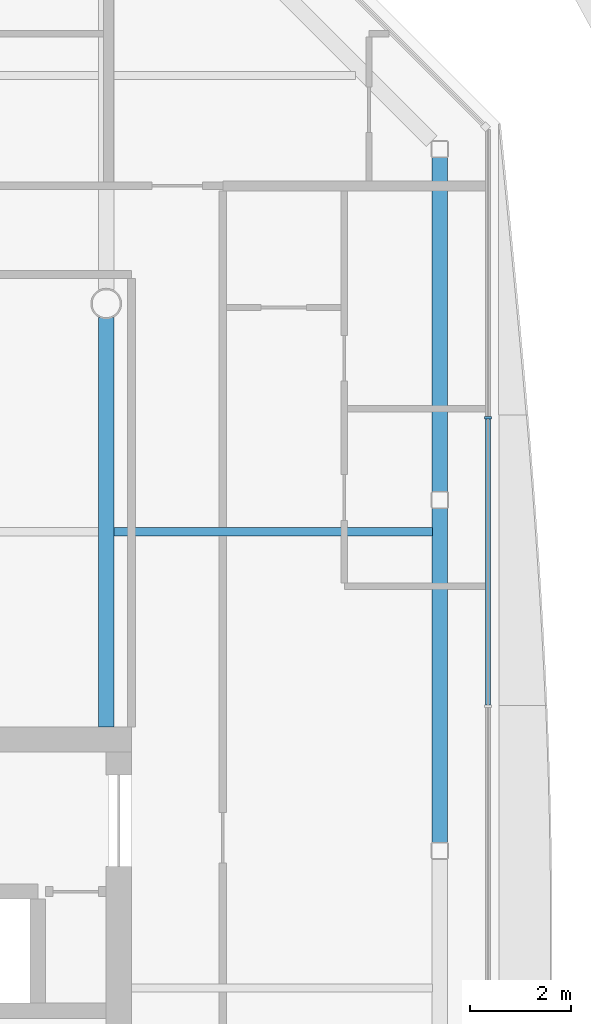
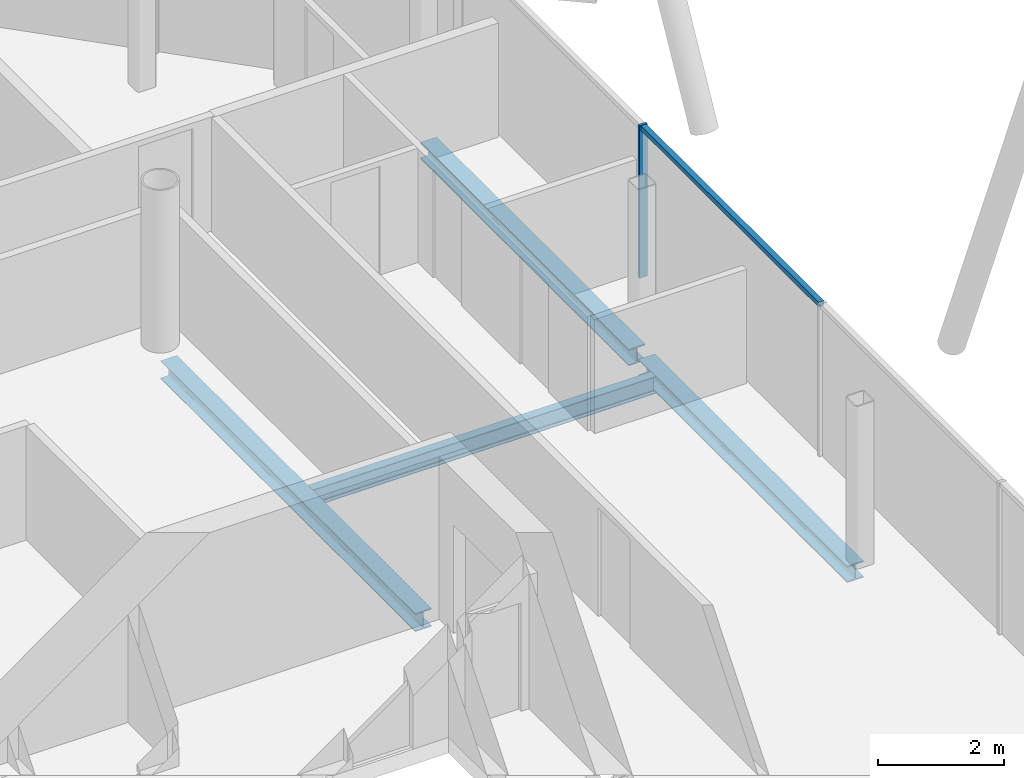
# One storey, part 9 of 20: 4 beams, 2 members, 1 element without a shape of its own.
"""IFC4 building model written with IfcOpenShell, lengths in metres."""

from ifc_helpers import new_model, si_unit, direction, frame, origin, origin_2d, place, context, subcontext, project, spatial, rectangle, i_section, extrude, material, material_profile, profile_set, type_object, element, aggregate, save


model = new_model("IFC4")

# Units and contexts
model_context = context("Model", 3, precision=1e-05, world=origin(), true_north=direction((0.0, 1.0)))
body_context = subcontext(model_context, "Body", "Model", "MODEL_VIEW")
ifc_project = project(units=[si_unit("LENGTHUNIT", "METRE"), si_unit("AREAUNIT", "SQUARE_METRE"), si_unit("VOLUMEUNIT", "CUBIC_METRE"), si_unit("PLANEANGLEUNIT", "RADIAN"), si_unit("MASSUNIT", "GRAM", prefix="KILO")], contexts=[model_context])

# Site, building, storey
site_placement = place(None, origin())
site = spatial("IfcSite", under=ifc_project, at=site_placement, CompositionType="ELEMENT")
building_placement = place(site_placement, origin())
building = spatial("IfcBuilding", under=site, at=building_placement, Name="Tskaro Facet Tower", CompositionType="ELEMENT")
storey_placement = place(building_placement, frame((0.0, 0.0, 200.550048828125)))
storey = spatial("IfcBuildingStorey", under=building, at=storey_placement, Name="L51", CompositionType="ELEMENT", Elevation=200.550048828125)

# Curtain wall, members
ifc_material_1 = material(Name="Bronze anodised aluminium 6063-T6", Category="aluminium")
curtain_wall_type = type_object("IfcCurtainWallType", Name="Bronze residence curtain wall (FW3)", PredefinedType="NOTDEFINED", material=ifc_material_1)
curtain_wall_placement = place(storey_placement, origin())
curtain_wall = element("IfcCurtainWall", 1, at=curtain_wall_placement, inside=storey, type_object=curtain_wall_type, Name="FW3 east facet L51", PredefinedType="NOTDEFINED")
ifc_material_profile_1 = material_profile(ifc_material_1, rectangle(XDim=0.050048828125, YDim=0.139892578125, at=origin_2d()), Name="Mullion 50x140")
ifc_profile_set_1 = profile_set([ifc_material_profile_1], Name="Bronze anodised aluminium 6063-T6")
member_type_1 = type_object("IfcMemberType", Name="FW3 bronze mullion 50x140", PredefinedType="MULLION", material=ifc_profile_set_1)
member_1_placement = place(storey_placement, frame((16.532958984375, 6.74609375, 0.0), z_axis=(0.0, 0.0, 1.0), x_axis=(0.0, 1.0, 0.0)))
member_1 = element("IfcMember", 2, at=member_1_placement, type_object=member_type_1, Name="FW3 east mullion 4", PredefinedType="MULLION", context=body_context, shape_type="SweptSolid", body=[
    extrude(rectangle(XDim=0.050048828125, YDim=0.139892578125, at=origin_2d()), origin(), (0.0, 0.0, 1.0), 2.949951171875),
])
ifc_material_profile_2 = material_profile(ifc_material_1, rectangle(XDim=0.10009765625, YDim=0.090087890625, at=origin_2d()), Name="Transom 100x90")
ifc_profile_set_2 = profile_set([ifc_material_profile_2], Name="Bronze anodised aluminium 6063-T6")
member_type_2 = type_object("IfcMemberType", Name="FW3 bronze transom 100x90", PredefinedType="USERDEFINED", material=ifc_profile_set_2)
member_2_placement = place(storey_placement, frame((16.532958984375, 1.077880859375, 2.905029296875), z_axis=(0.0, 1.0, 0.0), x_axis=(-1.0, 0.0, 0.0)))
member_2 = element("IfcMember", 3, at=member_2_placement, type_object=member_type_2, Name="FW3 east transom 4.1", ObjectType="TRANSOM", PredefinedType="USERDEFINED", context=body_context, shape_type="SweptSolid", body=[
    extrude(rectangle(XDim=0.10009765625, YDim=0.090087890625, at=origin_2d()), origin(), (0.0, 0.0, 1.0), 5.64306640625),
])
aggregate(curtain_wall, [member_1, member_2])

# Beams
ifc_material_2 = material(Name="Steel S355J2", Category="steel")
ifc_material_profile_3 = material_profile(ifc_material_2, i_section(OverallWidth=0.300048828125, OverallDepth=0.320068359375, WebThickness=0.011474609375, FlangeThickness=0.0205078125, FilletRadius=0.027099609375, at=origin_2d()), Name="HE 320 B")
ifc_profile_set_3 = profile_set([ifc_material_profile_3], Name="Steel S355J2")
beam_type_1 = type_object("IfcBeamType", Name="HE 320 B ring beam", PredefinedType="BEAM", material=ifc_profile_set_3)
beam_1_placement = place(storey_placement, frame((15.5830078125, -1.637939453125, -0.300048828125), z_axis=(0.0, 1.0, 0.0), x_axis=(-1.0, 0.0, 0.0)))
element("IfcBeam", 4, at=beam_1_placement, inside=storey, type_object=beam_type_1, Name="HE 320 B EB8-4", PredefinedType="BEAM", context=body_context, shape_type="SweptSolid", body=[
    extrude(i_section(OverallWidth=0.300048828125, OverallDepth=0.320068359375, WebThickness=0.011474609375, FlangeThickness=0.0205078125, FilletRadius=0.027099609375, at=origin_2d()), origin(), (0.0, 0.0, 1.0), 6.60888671875),
])
beam_2_placement = place(storey_placement, frame((15.5830078125, 5.281005859375, -0.300048828125), z_axis=(0.0, 1.0, 0.0), x_axis=(-1.0, 0.0, 0.0)))
element("IfcBeam", 5, at=beam_2_placement, inside=storey, type_object=beam_type_1, Name="HE 320 B EB9-4", PredefinedType="BEAM", context=body_context, shape_type="SweptSolid", body=[
    extrude(i_section(OverallWidth=0.300048828125, OverallDepth=0.320068359375, WebThickness=0.011474609375, FlangeThickness=0.0205078125, FilletRadius=0.027099609375, at=origin_2d()), origin(), (0.0, 0.0, 1.0), 6.610107421875),
])
ifc_material_profile_4 = material_profile(ifc_material_2, i_section(OverallWidth=0.300048828125, OverallDepth=0.35009765625, WebThickness=0.010009765625, FlangeThickness=0.017578125, FilletRadius=0.027099609375, at=origin_2d()), Name="HE 360 A")
ifc_profile_set_4 = profile_set([ifc_material_profile_4], Name="Steel S355J2")
beam_type_2 = type_object("IfcBeamType", Name="HE 360 A girder", PredefinedType="BEAM", material=ifc_profile_set_4)
beam_3_placement = place(storey_placement, frame((9.0, 0.64990234375, -0.31494140625), z_axis=(0.0, 1.0, 0.0), x_axis=(-1.0, 0.0, 0.0)))
element("IfcBeam", 6, at=beam_3_placement, inside=storey, type_object=beam_type_2, Name="HE 360 A GB5-2-4", PredefinedType="BEAM", context=body_context, shape_type="SweptSolid", body=[
    extrude(i_section(OverallWidth=0.300048828125, OverallDepth=0.35009765625, WebThickness=0.010009765625, FlangeThickness=0.017578125, FilletRadius=0.027099609375, at=origin_2d()), origin(), (0.0, 0.0, 1.0), 8.0751953125),
])
ifc_material_profile_5 = material_profile(ifc_material_2, i_section(OverallWidth=0.159912109375, OverallDepth=0.330078125, WebThickness=0.007568359375, FlangeThickness=0.011474609375, FilletRadius=0.01806640625, at=origin_2d()), Name="IPE 330")
ifc_profile_set_5 = profile_set([ifc_material_profile_5], Name="Steel S355J2")
beam_type_3 = type_object("IfcBeamType", Name="IPE 330 secondary beam", PredefinedType="BEAM", material=ifc_profile_set_5)
beam_4_placement = place(storey_placement, frame((9.14990234375, 4.5, -0.304931640625), z_axis=(1.0, 0.0, 0.0), x_axis=(0.0, 1.0, 0.0)))
element("IfcBeam", 7, at=beam_4_placement, inside=storey, type_object=beam_type_3, Name="IPE 330 SB4a-5-4", PredefinedType="BEAM", context=body_context, shape_type="SweptSolid", body=[
    extrude(i_section(OverallWidth=0.159912109375, OverallDepth=0.330078125, WebThickness=0.007568359375, FlangeThickness=0.011474609375, FilletRadius=0.01806640625, at=origin_2d()), origin(), (0.0, 0.0, 1.0), 6.283203125),
])

save(model, "model.ifc")
